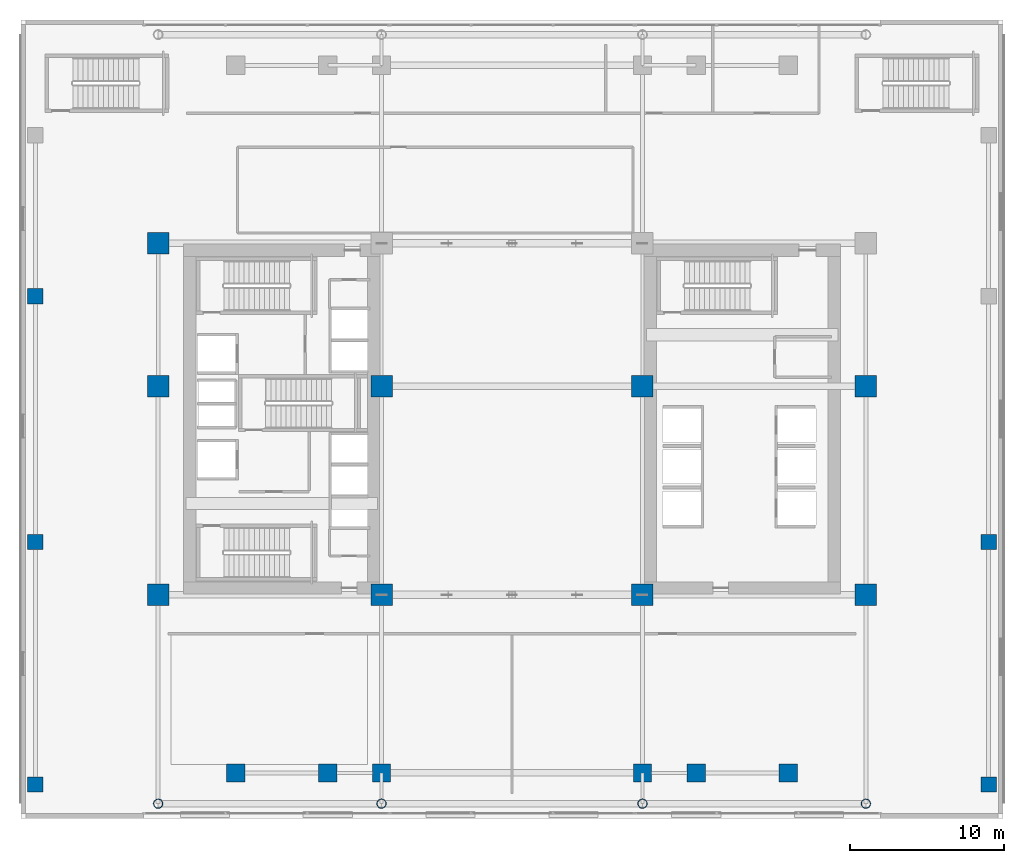
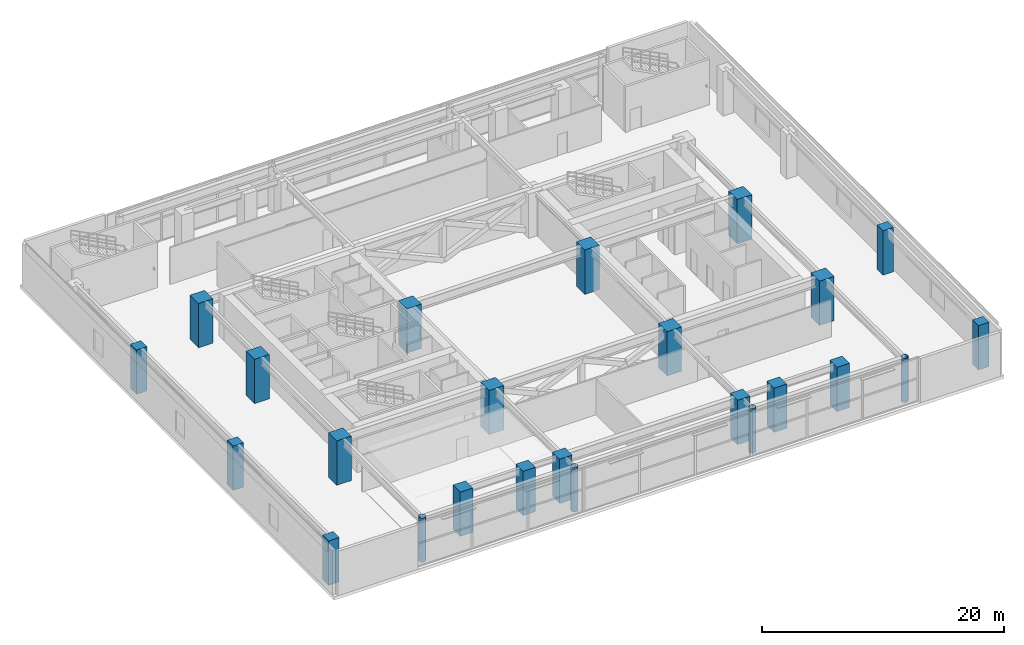
# One storey, part 1 of 28: 24 columns.
"""IFC4 building model written with IfcOpenShell, lengths in metres."""

from ifc_helpers import new_model, si_unit, direction, frame, origin, origin_2d, place, context, subcontext, project, spatial, rectangle, hollow_circle, extrude, source, transform, mapped, material, material_profile, profile_set, type_object, element, save


model = new_model("IFC4")

# Units and contexts
model_context = context("Model", 3, precision=1e-05, world=origin(), true_north=direction((0.0, 1.0)))
body_context = subcontext(model_context, "Body", "Model", "MODEL_VIEW")
ifc_project = project(units=[si_unit("LENGTHUNIT", "METRE"), si_unit("AREAUNIT", "SQUARE_METRE"), si_unit("VOLUMEUNIT", "CUBIC_METRE"), si_unit("PLANEANGLEUNIT", "RADIAN"), si_unit("MASSUNIT", "GRAM", prefix="KILO")], contexts=[model_context])

# Site, building, storey
site_placement = place(None, origin())
site = spatial("IfcSite", under=ifc_project, at=site_placement, CompositionType="ELEMENT")
building_placement = place(site_placement, origin())
building = spatial("IfcBuilding", under=site, at=building_placement, Name="Ocotamira Hotel", CompositionType="ELEMENT")
storey_placement = place(building_placement, frame((0.0, 0.0, 24.0)))
storey = spatial("IfcBuildingStorey", under=building, at=storey_placement, Name="L05", CompositionType="ELEMENT", Elevation=24.0)

# Columns
ifc_material_1 = material(Name="Concrete C50/60", Category="concrete")
ifc_material_profile_1 = material_profile(ifc_material_1, rectangle(XDim=1.0, YDim=1.0, at=origin_2d()), Name="RC1000X1000")
ifc_profile_set_1 = profile_set([ifc_material_profile_1], Name="Concrete C50/60")
column_type_1 = type_object("IfcColumnType", Name="COL-RC1000", PredefinedType="COLUMN", material=ifc_profile_set_1)
shared_shape_1 = source(origin(), body_context, "Body", "SweptSolid", [
    extrude(rectangle(XDim=1.0, YDim=1.0, at=origin_2d()), origin(), (0.0, 0.0, 1.0), 4.47998046875),
])
for number, where, z_axis, x_axis, name in (
    (1, (0.949951171875, 2.199951171875, 0.0), (0.0, 0.0, 1.0), (1.0, 0.0, 0.0), "L05 Column PW1"),
    (2, (63.050048828125, 2.199951171875, 0.0), (0.0, 0.0, 1.0), (1.0, 0.0, 0.0), "L05 Column PE1"),
    (3, (0.949951171875, 18.0, 0.0), (0.0, 0.0, 1.0), (1.0, 0.0, 0.0), "L05 Column PW2"),
    (4, (63.050048828125, 18.0, 0.0), (0.0, 0.0, 1.0), (1.0, 0.0, 0.0), "L05 Column PE2"),
    (5, (0.949951171875, 34.0, 0.0), (0.0, 0.0, 1.0), (1.0, 0.0, 0.0), "L05 Column PW3"),
):
    element("IfcColumn", number, at=place(storey_placement, frame(where, z_axis=z_axis, x_axis=x_axis)), inside=storey, type_object=column_type_1, Name=name, PredefinedType="COLUMN", context=body_context, shape_type="MappedRepresentation", body=[
        mapped(shared_shape_1, transform((0.0, 0.0, 0.0), scale=1.0)),
    ])
ifc_material_2 = material(Name="Steel ASTM A501 Grade B", Category="steel")
ifc_material_profile_2 = material_profile(ifc_material_2, hollow_circle(Radius=0.304931640625, WallThickness=0.02490234375, at=origin_2d()), Name="CHS610X25")
ifc_profile_set_2 = profile_set([ifc_material_profile_2], Name="Steel ASTM A501 Grade B")
column_type_2 = type_object("IfcColumnType", Name="COL-CHS610", PredefinedType="COLUMN", material=ifc_profile_set_2)
shared_shape_2 = source(origin(), body_context, "Body", "SweptSolid", [
    extrude(hollow_circle(Radius=0.304931640625, WallThickness=0.02490234375, at=origin_2d()), origin(), (0.0, 0.0, 1.0), 4.47998046875),
])
for number, where, z_axis, x_axis, name in (
    (6, (8.949951171875, 0.949951171875, 0.0), (0.0, 0.0, 1.0), (1.0, 0.0, 0.0), "L05 Column PS1_1"),
    (7, (23.5, 0.949951171875, 0.0), (0.0, 0.0, 1.0), (1.0, 0.0, 0.0), "L05 Column PS1_2"),
    (8, (40.5, 0.949951171875, 0.0), (0.0, 0.0, 1.0), (1.0, 0.0, 0.0), "L05 Column PS1_3"),
    (9, (55.050048828125, 0.949951171875, 0.0), (0.0, 0.0, 1.0), (1.0, 0.0, 0.0), "L05 Column PS1_4"),
):
    element("IfcColumn", number, at=place(storey_placement, frame(where, z_axis=z_axis, x_axis=x_axis)), inside=storey, type_object=column_type_2, Name=name, PredefinedType="COLUMN", context=body_context, shape_type="MappedRepresentation", body=[
        mapped(shared_shape_2, transform((0.0, 0.0, 0.0), scale=1.0)),
    ])
ifc_material_3 = material(Name="Concrete C60/75", Category="concrete")
ifc_material_profile_3 = material_profile(ifc_material_3, rectangle(XDim=1.39990234375, YDim=1.39990234375, at=origin_2d()), Name="RC1400X1400")
ifc_profile_set_3 = profile_set([ifc_material_profile_3], Name="Concrete C60/75")
column_type_3 = type_object("IfcColumnType", Name="COL-RC1400", PredefinedType="COLUMN", material=ifc_profile_set_3)
shared_shape_3 = source(origin(), body_context, "Body", "SweptSolid", [
    extrude(rectangle(XDim=1.39990234375, YDim=1.39990234375, at=origin_2d()), origin(), (0.0, 0.0, 1.0), 4.47998046875),
])
for number, where, z_axis, x_axis, name in (
    (10, (8.949951171875, 14.550048828125, 0.0), (0.0, 0.0, 1.0), (1.0, 0.0, 0.0), "L05 Column TW8_14"),
    (11, (23.5, 14.550048828125, 0.0), (0.0, 0.0, 1.0), (1.0, 0.0, 0.0), "L05 Column TW23_14"),
    (12, (40.5, 14.550048828125, 0.0), (0.0, 0.0, 1.0), (1.0, 0.0, 0.0), "L05 Column TE40_14"),
    (13, (55.050048828125, 14.550048828125, 0.0), (0.0, 0.0, 1.0), (1.0, 0.0, 0.0), "L05 Column TE55_14"),
    (14, (8.949951171875, 28.14990234375, 0.0), (0.0, 0.0, 1.0), (1.0, 0.0, 0.0), "L05 Column TW8_28"),
    (15, (23.5, 28.14990234375, 0.0), (0.0, 0.0, 1.0), (1.0, 0.0, 0.0), "L05 Column TW23_28"),
    (16, (40.5, 28.14990234375, 0.0), (0.0, 0.0, 1.0), (1.0, 0.0, 0.0), "L05 Column TE40_28"),
    (17, (55.050048828125, 28.14990234375, 0.0), (0.0, 0.0, 1.0), (1.0, 0.0, 0.0), "L05 Column TE55_28"),
    (18, (8.949951171875, 37.449951171875, 0.0), (0.0, 0.0, 1.0), (1.0, 0.0, 0.0), "L05 Column TW8_37"),
):
    element("IfcColumn", number, at=place(storey_placement, frame(where, z_axis=z_axis, x_axis=x_axis)), inside=storey, type_object=column_type_3, Name=name, PredefinedType="COLUMN", context=body_context, shape_type="MappedRepresentation", body=[
        mapped(shared_shape_3, transform((0.0, 0.0, 0.0), scale=1.0)),
    ])
ifc_material_profile_4 = material_profile(ifc_material_3, rectangle(XDim=1.199951171875, YDim=1.199951171875, at=origin_2d()), Name="RC1200X1200")
ifc_profile_set_4 = profile_set([ifc_material_profile_4], Name="Concrete C60/75")
column_type_4 = type_object("IfcColumnType", Name="COL-RC1200", PredefinedType="COLUMN", material=ifc_profile_set_4)
shared_shape_4 = source(origin(), body_context, "Body", "SweptSolid", [
    extrude(rectangle(XDim=1.199951171875, YDim=1.199951171875, at=origin_2d()), origin(), (0.0, 0.0, 1.0), 4.47998046875),
])
for number, where, z_axis, x_axis, name in (
    (19, (14.0, 2.949951171875, 0.0), (0.0, 0.0, 1.0), (1.0, 0.0, 0.0), "L05 Column NSP1_14"),
    (20, (20.0, 2.949951171875, 0.0), (0.0, 0.0, 1.0), (1.0, 0.0, 0.0), "L05 Column NSP1_20"),
    (21, (23.5, 2.949951171875, 0.0), (0.0, 0.0, 1.0), (1.0, 0.0, 0.0), "L05 Column NSP1_23"),
    (22, (40.5, 2.949951171875, 0.0), (0.0, 0.0, 1.0), (1.0, 0.0, 0.0), "L05 Column NSP1_40"),
    (23, (44.0, 2.949951171875, 0.0), (0.0, 0.0, 1.0), (1.0, 0.0, 0.0), "L05 Column NSP1_44"),
    (24, (50.0, 2.949951171875, 0.0), (0.0, 0.0, 1.0), (1.0, 0.0, 0.0), "L05 Column NSP1_50"),
):
    element("IfcColumn", number, at=place(storey_placement, frame(where, z_axis=z_axis, x_axis=x_axis)), inside=storey, type_object=column_type_4, Name=name, PredefinedType="COLUMN", context=body_context, shape_type="MappedRepresentation", body=[
        mapped(shared_shape_4, transform((0.0, 0.0, 0.0), scale=1.0)),
    ])

save(model, "model.ifc")
